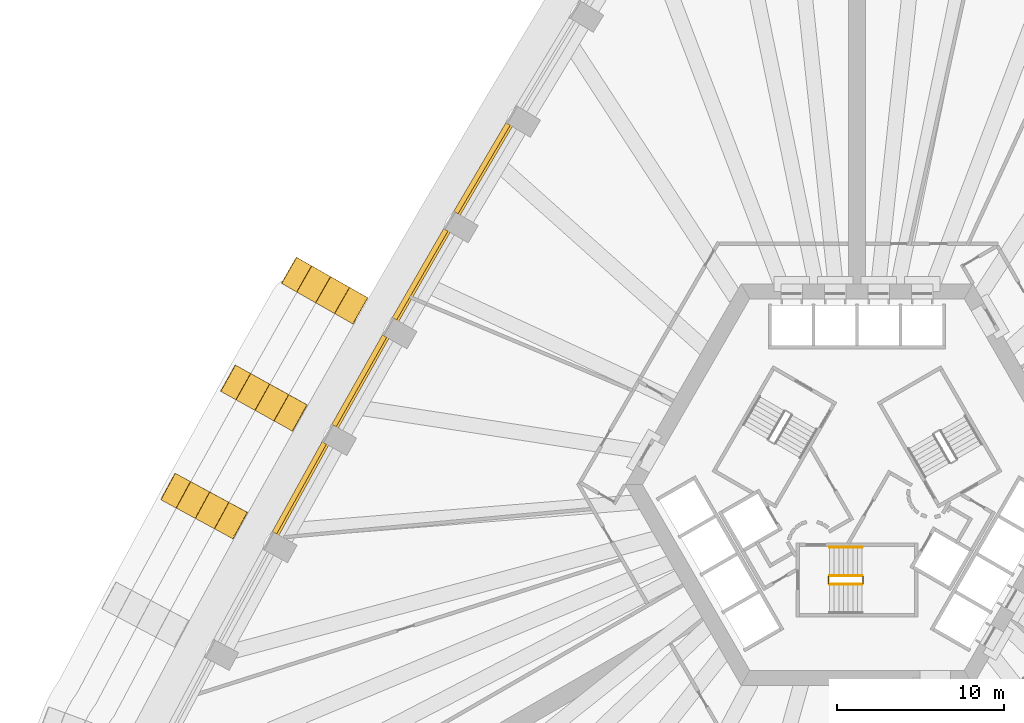
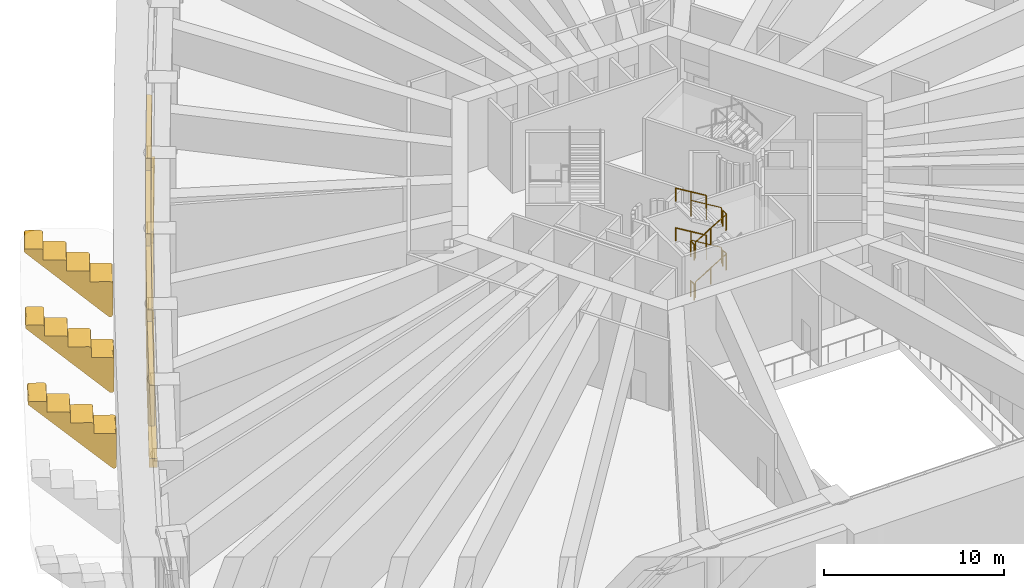
# One storey, part 16 of 21: 10 railings, 7 coverings, 4 shading devices.
"""IFC4 building model written with IfcOpenShell, lengths in metres."""

import ifcopenshell
import ifcopenshell.guid

model = None  # the IFC model being written
_history = None  # IfcOwnerHistory: only IFC2X3 demands one
_inside = {}  # id of a spatial element -> (the spatial element, [elements in it])
_under = {}  # id of a project, library or spatial element -> (it, [spatial elements below it])
_declared = {}  # id of a project -> (the project, [libraries it declares])
_typed = {}  # id of a type object -> (the type object, [elements of that type])
_made_of = {}  # id of a material, layer set ... -> (it, [elements and type objects made of it])


def new_model(schema):
    """Start an empty IFC model of exactly this schema.

    Asked for "IFC4X3", IfcOpenShell would pick the latest addendum, in which some entities
    have other attributes; the version numbers below select the first issue.
    IFC2X3 requires an IfcOwnerHistory on every rooted entity: one is made here for all.
    """
    global model, _history
    if schema == "IFC4X3":
        model = ifcopenshell.file(schema_version=(4, 3, 0, 0))
    else:
        model = ifcopenshell.file(schema=schema)
    _inside.clear()
    _under.clear()
    _declared.clear()
    _typed.clear()
    _made_of.clear()
    _history = None
    if model.schema == "IFC2X3":
        org = make("IfcOrganization", Name="unknown")
        user = make(
            "IfcPersonAndOrganization",
            ThePerson=make("IfcPerson", FamilyName="unknown"),
            TheOrganization=org,
        )
        app = make(
            "IfcApplication",
            ApplicationDeveloper=org,
            Version="unknown",
            ApplicationFullName="unknown",
            ApplicationIdentifier="unknown",
        )
        _history = make(
            "IfcOwnerHistory",
            OwningUser=user,
            OwningApplication=app,
            ChangeAction="ADDED",
            CreationDate=0,
        )
    return model


def make(cls, **values):
    """One entity of the class cls with the attributes given. An attribute that is None is left unset."""
    return model.create_entity(
        cls, **{name: value for name, value in values.items() if value is not None}
    )


def rooted(cls, **values):
    """An entity with a GlobalId (a new one), such as an element, a storey or a relation."""
    return make(cls, GlobalId=ifcopenshell.guid.new(), OwnerHistory=_history, **values)


def si_unit(unit_type, name, prefix=None):
    """IfcSIUnit, for example si_unit("LENGTHUNIT", "METRE", prefix="MILLI")."""
    return make("IfcSIUnit", UnitType=unit_type, Prefix=prefix, Name=name)


def assignment(units):
    """IfcUnitAssignment: the units of a project."""
    return None if units is None else make("IfcUnitAssignment", Units=units)


def point(xyz):
    """IfcCartesianPoint."""
    return None if xyz is None else make("IfcCartesianPoint", Coordinates=xyz)


def direction(xyz):
    """IfcDirection."""
    return None if xyz is None else make("IfcDirection", DirectionRatios=xyz)


def frame(location, z_axis=None, x_axis=None):
    """IfcAxis2Placement3D, a coordinate frame: its origin and axes. An axis left out is left unset."""
    return make(
        "IfcAxis2Placement3D",
        Location=point(location),
        Axis=direction(z_axis),
        RefDirection=direction(x_axis),
    )


def frame_2d(location, x_axis=None):
    """IfcAxis2Placement2D, a coordinate frame in the plane: its origin and x axis."""
    return make(
        "IfcAxis2Placement2D", Location=point(location), RefDirection=direction(x_axis)
    )


def origin():
    """The frame at (0, 0, 0) with its axes left unset."""
    return frame((0.0, 0.0, 0.0))


def origin_2d():
    """The frame at (0, 0) in the plane with its x axis left unset."""
    return frame_2d((0.0, 0.0))


def place(relative_to, where):
    """IfcLocalPlacement: puts the frame where relative to a parent placement (None: the world)."""
    return make(
        "IfcLocalPlacement", PlacementRelTo=relative_to, RelativePlacement=where
    )


def context(
    kind, dimensions, precision=None, world=None, true_north=None, identifier=None
):
    """IfcGeometricRepresentationContext, for example the 3D "Model" context."""
    return make(
        "IfcGeometricRepresentationContext",
        ContextIdentifier=identifier,
        ContextType=kind,
        CoordinateSpaceDimension=dimensions,
        Precision=precision,
        WorldCoordinateSystem=world,
        TrueNorth=true_north,
    )


def subcontext(parent, identifier, kind, view, scale=None):
    """IfcGeometricRepresentationSubContext, for example "Body" below "Model"."""
    return make(
        "IfcGeometricRepresentationSubContext",
        ContextIdentifier=identifier,
        ContextType=kind,
        ParentContext=parent,
        TargetScale=scale,
        TargetView=view,
    )


def project(units=None, contexts=None):
    """IfcProject with its units and contexts."""
    return rooted(
        "IfcProject",
        Name="project",
        RepresentationContexts=contexts,
        UnitsInContext=assignment(units),
    )


def spatial(cls, under=None, at=None, **own):
    """A site, building, storey or space (cls), placed at a placement, below another one or the project."""
    s = rooted(cls, ObjectPlacement=at, **own)
    if under is not None:
        _under.setdefault(under.id(), (under, []))[1].append(s)
    return s


def polyline(points):
    """IfcPolyline through the points."""
    return make("IfcPolyline", Points=[point(p) for p in points])


def profile(cls, at=None, kind="AREA", **sizes):
    """A parametric profile (cls). Its sizes go by their IFC names, for example OverallWidth=200.0."""
    return make(cls, ProfileType=kind, Position=at, **sizes)


def rectangle(**sizes):
    """IfcRectangleProfileDef."""
    return profile("IfcRectangleProfileDef", **sizes)


def circle(**sizes):
    """IfcCircleProfileDef."""
    return profile("IfcCircleProfileDef", **sizes)


def outline(outer, holes=None, kind="AREA"):
    """IfcArbitraryClosedProfileDef: a profile drawn as a closed curve; with holes, ...WithVoids."""
    if holes is None:
        return make("IfcArbitraryClosedProfileDef", ProfileType=kind, OuterCurve=outer)
    return make(
        "IfcArbitraryProfileDefWithVoids",
        ProfileType=kind,
        OuterCurve=outer,
        InnerCurves=holes,
    )


def extrude(swept, where, along, depth):
    """IfcExtrudedAreaSolid: the profile swept, set in the frame where, extruded along a direction by depth."""
    return make(
        "IfcExtrudedAreaSolid",
        SweptArea=swept,
        Position=where,
        ExtrudedDirection=direction(along),
        Depth=depth,
    )


def shape(context_of_items, identifier, shape_type, items):
    """IfcShapeRepresentation: the items that make up one representation, for example the "Body"."""
    return make(
        "IfcShapeRepresentation",
        ContextOfItems=context_of_items,
        RepresentationIdentifier=identifier,
        RepresentationType=shape_type,
        Items=items,
    )


def material(Name=None, Category=None):
    """IfcMaterial."""
    return make("IfcMaterial", Name=Name, Category=Category)


def layer(
    of_material, thickness, ventilated=None, Name=None, Category=None, Priority=None
):
    """IfcMaterialLayer: one layer of a wall or slab, of a material (None: an air gap)."""
    return make(
        "IfcMaterialLayer",
        Material=of_material,
        LayerThickness=thickness,
        IsVentilated=ventilated,
        Name=Name,
        Category=Category,
        Priority=Priority,
    )


def layer_set(layers, Name=None):
    """IfcMaterialLayerSet."""
    return make("IfcMaterialLayerSet", MaterialLayers=layers, LayerSetName=Name)


def made_of(thing, what):
    """Note that an element or type object is made of a material, layer set ...; save() writes the relation."""
    if what is not None:
        _made_of.setdefault(what.id(), (what, []))[1].append(thing)
    return thing


def type_object(cls, material=None, **own):
    """A type object (cls), such as IfcWallType, which elements share."""
    return made_of(rooted(cls, **own), material)


def element(
    cls,
    number,
    at=None,
    inside=None,
    cuts=None,
    type_object=None,
    material=None,
    context=None,
    identifier="Body",
    shape_type=None,
    held_by="IfcProductDefinitionShape",
    body=None,
    shapes=None,
    **own,
):
    """One element of the class cls, such as IfcWall. Its Tag is "e" and its number.

    at: its placement. inside: the storey or other place that contains it. cuts: it is an
    opening in that element (IfcRelVoidsElement). A single representation is given by context,
    identifier, shape_type and body (its items); several are given by shapes. held_by: the class
    of the entity that holds the representations. save() writes the other relations.
    """
    e = rooted(cls, Tag="e%d" % number, ObjectPlacement=at, **own)
    if body is not None:
        shapes = [shape(context, identifier, shape_type, body)]
    if shapes is not None:
        e.Representation = make(held_by, Representations=shapes)
    if inside is not None:
        _inside.setdefault(inside.id(), (inside, []))[1].append(e)
    if cuts is not None:
        rooted(
            "IfcRelVoidsElement", RelatingBuildingElement=cuts, RelatedOpeningElement=e
        )
    if type_object is not None:
        _typed.setdefault(type_object.id(), (type_object, []))[1].append(e)
    return made_of(e, material)


def aggregate(whole, parts):
    """IfcRelAggregates: a whole, such as a stair, and the parts it consists of."""
    return rooted("IfcRelAggregates", RelatingObject=whole, RelatedObjects=parts)


def save(model, path):
    """Write the relations noted so far, then the file.

    IfcRelAggregates (storeys below a building ...), IfcRelContainedInSpatialStructure (elements
    in a storey), IfcRelDefinesByType, IfcRelAssociatesMaterial and IfcRelDeclares: one each for
    every whole, place, type object, material and project.
    """
    for whole, parts in _under.values():
        aggregate(whole, parts)
    for where, things in _inside.values():
        rooted(
            "IfcRelContainedInSpatialStructure",
            RelatedElements=things,
            RelatingStructure=where,
        )
    for kind, things in _typed.values():
        rooted("IfcRelDefinesByType", RelatedObjects=things, RelatingType=kind)
    for what, things in _made_of.values():
        rooted("IfcRelAssociatesMaterial", RelatedObjects=things, RelatingMaterial=what)
    for by, libraries in _declared.values():
        rooted("IfcRelDeclares", RelatingContext=by, RelatedDefinitions=libraries)
    model.write(path)


model = new_model("IFC4")

# Units and contexts
model_context = context("Model", 3, precision=1e-05, world=origin(), true_north=direction((0.0, 1.0)))
body_context = subcontext(model_context, "Body", "Model", "MODEL_VIEW")
ifc_project = project(units=[si_unit("LENGTHUNIT", "METRE"), si_unit("AREAUNIT", "SQUARE_METRE"), si_unit("VOLUMEUNIT", "CUBIC_METRE"), si_unit("PLANEANGLEUNIT", "RADIAN"), si_unit("MASSUNIT", "GRAM", prefix="KILO")], contexts=[model_context])

# Site, building, storey
site_placement = place(None, origin())
site = spatial("IfcSite", under=ifc_project, at=site_placement, CompositionType="ELEMENT")
building_placement = place(site_placement, origin())
building = spatial("IfcBuilding", under=site, at=building_placement, Name="Entoto Arch Interchange Tower", CompositionType="ELEMENT")
storey_placement = place(building_placement, frame((0.0, 0.0, 81.199951171875)))
storey = spatial("IfcBuildingStorey", under=building, at=storey_placement, Name="L17", CompositionType="ELEMENT", Elevation=81.199951171875)

# Shading devices
ifc_material_1 = material(Name="Aluminium, anodised", Category="aluminium")
ifc_layer = layer(ifc_material_1, 0.300048828125)
ifc_layer_set = layer_set([ifc_layer], Name="Aluminium, anodised")
shading_device_type = type_object("IfcShadingDeviceType", Name="PLANT LOUVRE ALUMINIUM", PredefinedType="JALOUSIE", material=ifc_layer_set)
shading_device_1_placement = place(storey_placement, frame((-22.408935546875, 21.404052734375, 1.2001953125), z_axis=(0.0, 0.0, 1.0), x_axis=(-0.50750828612, -0.861646876348, 0.0)))
element("IfcShadingDevice", 1, at=shading_device_1_placement, inside=storey, type_object=shading_device_type, Name="Plant louvre NW-04 L17", PredefinedType="JALOUSIE", context=body_context, shape_type="SweptSolid", body=[
    extrude(rectangle(XDim=6.135986328125, YDim=0.300048828125, at=origin_2d()), origin(), (0.0, 0.0, 1.0), 2.800048828125),
])
for number, where, z_axis, x_axis, name in (
    (2, (-26.10400390625, 15.070068359375, 1.2001953125), (0.0, 0.0, 1.0), (-0.499939538803, -0.866060308259, 0.0), "Plant louvre NW-05 L17"),
    (3, (-29.741943359375, 8.7041015625, 1.2001953125), (0.0, 0.0, 1.0), (-0.492271646879, -0.870441626808, 0.0), "Plant louvre NW-06 L17"),
):
    element("IfcShadingDevice", number, at=place(storey_placement, frame(where, z_axis=z_axis, x_axis=x_axis)), inside=storey, type_object=shading_device_type, Name=name, PredefinedType="JALOUSIE", context=body_context, shape_type="SweptSolid", body=[
        extrude(rectangle(XDim=6.135009765625, YDim=0.300048828125, at=origin_2d()), origin(), (0.0, 0.0, 1.0), 2.800048828125),
    ])
shading_device_2_placement = place(storey_placement, frame((-33.323974609375, 2.305908203125, 1.2001953125), z_axis=(0.0, 0.0, 1.0), x_axis=(-0.484702761673, -0.874678931281, 0.0)))
element("IfcShadingDevice", 4, at=shading_device_2_placement, inside=storey, type_object=shading_device_type, Name="Plant louvre NW-07 L17", PredefinedType="JALOUSIE", context=body_context, shape_type="SweptSolid", body=[
    extrude(rectangle(XDim=6.134033203125, YDim=0.300048828125, at=origin_2d()), origin(), (0.0, 0.0, 1.0), 2.800048828125),
])

# Coverings
ifc_material_2 = material(Name="Board-marked precast concrete C50/60", Category="concrete")
covering_type_1 = type_object("IfcCoveringType", Name="PRECAST FRAME COURSE", PredefinedType="CLADDING", material=ifc_material_2)
covering_1_placement = place(storey_placement, frame((-29.429931640625, 13.783935546875, -0.558837890625), z_axis=(0.495684385517, 0.868497486394, 0.003017628692), x_axis=(0.7022359059, -0.398743312571, -0.589803783596)))
element("IfcCovering", 5, at=covering_1_placement, inside=storey, type_object=covering_type_1, Name="Fold rib NW06 L17", PredefinedType="CLADDING", context=body_context, shape_type="SweptSolid", body=[
    extrude(outline(polyline([(0.0, 0.0), (0.04263625358973036, 3.469446951953614e-18), (0.08276718296110695, -0.013287604371979553), (0.11835073101938814, -0.03685758275186953), (0.14670707661133386, -0.06996331964073439), (0.15987199320520173, -0.09681128419092992), (0.16859380774709873, -0.14036986246827945), (0.16456973624039087, -0.18459180057720437), (0.14819036302353766, -0.22462830107334325), (-1.0991312689511166, -1.9326730209428273), (-1.117883638814844, -1.9546514416574075), (-1.1416583246081546, -1.9720565405153874), (-1.1682897016341456, -1.9849535465743977), (-1.1965710473633158, -1.9927161593708944), (-1.2266312186817483, -1.9943405788178854), (-1.2550390481524478, -1.9908266489565087), (-1.282998567679535, -1.9803839335107851), (-1.3082494937499416, -1.965566291738139), (-2.2127303615445113, -1.304961592441222), (-2.575921752452188, -1.801255138300538), (-2.5972648469020196, -1.8216459516832928), (-2.62256725685118, -1.836420116938135), (-2.6504934028840843, -1.8459551336885118), (-2.694248605491011, -1.8511839032849804), (-2.7371496391550405, -1.8431270465323957), (-2.7758668805592044, -1.8224096162052335), (-3.704727955216746, -1.1439976045650415), (-4.068433679063315, -1.6399168536634265), (-4.090337615592293, -1.659895327618125), (-4.1142960567689055, -1.6756527881092014), (-4.1423936471147735, -1.6850630392726016), (-4.1862461991632465, -1.6902199154087998), (-4.2298330100791315, -1.6816639963083069), (-4.268082427684657, -1.6612828200749514), (-5.196846152900653, -0.9829427018950287), (-5.560333923294003, -1.4790247592475154), (-5.582163764951563, -1.4990561053289215), (-5.6073688254591785, -1.5139021640440329), (-5.634609194240227, -1.5239362431423187), (-5.6783643968471536, -1.5291650127387872), (-5.7219512077630394, -1.5206090936382939), (-5.760668449167203, -1.499891663311132), (-6.382777742707345, -1.0455206896716973), (-6.4053326593565165, -1.0254194281529494), (-6.422452652255513, -1.0017278984733382), (-6.435520219407836, -0.9749518273834124), (-6.44272776292078, -0.9461078664068192), (-6.444354883566093, -0.9161961182623015), (-6.43934993386097, -0.8865983771660328), (-6.429133395109649, -0.8580810331338466), (-6.413758934721355, -0.8333340617924963), (-6.393039970204853, -0.8112812750889877), (-6.369580723788861, -0.793948564197009), (-6.341702727431867, -0.781962959913963), (-6.313311584708259, -0.7754880236772892), (0.0, 0.0)])), origin(), (0.0, 0.0, -1.0), 1.800048828125),
])
covering_2_placement = place(storey_placement, frame((-33.05908203125, 7.385986328125, -0.554931640625), z_axis=(0.486961709781, 0.873417880958, 0.003081952209), x_axis=(0.685898562877, -0.380223613169, -0.620462058012)))
element("IfcCovering", 6, at=covering_2_placement, inside=storey, type_object=covering_type_1, Name="Fold rib NW07 L17", PredefinedType="CLADDING", context=body_context, shape_type="SweptSolid", body=[
    extrude(outline(polyline([(0.0, 0.0), (0.029118148691742313, 0.0), (0.070924476056066, -0.011593780235742146), (0.10804440066463862, -0.03442422065923424), (0.13708795843014246, -0.06643172847302366), (0.1557894480644645, -0.10551040034971405), (0.16320603662439484, -0.14811345684078098), (0.15681396373552897, -0.19162175543092524), (0.13873719863839265, -0.23086590065339002), (-1.1696161678608858, -1.8864029006718819), (-1.1902428999178298, -1.906816996649429), (-1.2146743860157245, -1.9232900526066299), (-1.2414087756928334, -1.9354505712053094), (-1.2699671530676737, -1.9421183967901494), (-1.299691221737943, -1.942884246800021), (-1.3291537589151727, -1.9373188857000443), (-1.3558544554549585, -1.926465242617105), (-1.3808065457686558, -1.9104604519797612), (-2.258826259508525, -1.2157960606769227), (-2.6407028766789358, -1.6978591516066008), (-2.664029325002503, -1.7164513357192321), (-2.6888373740953426, -1.7310675969483342), (-2.717019188475238, -1.7395922172612726), (-2.7610352837719754, -1.7430573428172962), (-2.803885995389525, -1.733127281845662), (-2.8417792956804524, -1.7109306721876762), (-3.743304651920673, -0.9976668160272404), (-4.125925719579662, -1.4791440917827539), (-4.148507717414651, -1.4983220910695496), (-4.173892761292242, -1.5124845563688523), (-4.201497580887386, -1.5214629726115905), (-4.246183498999432, -1.5244000211901545), (-4.288941382586424, -1.5145442412661794), (-4.326834682877351, -1.4923476316081938), (-5.2285274948214, -0.778951756203393), (-5.61107393480712, -1.2604867701556115), (-5.63356310461155, -1.2797390504900674), (-5.6590409765197, -1.29382723474171), (-5.686645796114844, -1.3028056509844483), (-5.730569063381022, -1.306345057588132), (-5.7735872307024, -1.2962829773721323), (-5.811313075289499, -1.2742183869585118), (-6.415943617802237, -0.7958485168481317), (-6.437167360214214, -0.7753229071992194), (-6.454194563679474, -0.7503325116740469), (-6.466220925764858, -0.7230724445371006), (-6.472314115272578, -0.6939701441619883), (-6.472242773662021, -0.6644515567804059), (-6.466477316626278, -0.6347675881529242), (-6.454792661165038, -0.6069664955101088), (-6.438477499556717, -0.5828291795708762), (-6.417093367526614, -0.56145777108099), (-6.392050710577482, -0.5457785356513769), (-6.364368013993387, -0.5343689371731366), (-6.335206965955701, -0.5294241820106325), (0.0, 0.0)])), origin(), (0.0, 0.0, -1.0), 1.800048828125),
])
covering_3_placement = place(storey_placement, frame((-36.631103515625, 0.9580078125, -0.5458984375), z_axis=(0.478066167736, 0.878319171934, 0.002858579881), x_axis=(0.722524278042, -0.391412823053, -0.569872502925)))
element("IfcCovering", 7, at=covering_3_placement, inside=storey, type_object=covering_type_1, Name="Fold rib NW08 L17", PredefinedType="CLADDING", context=body_context, shape_type="SweptSolid", body=[
    extrude(outline(polyline([(0.0, 0.0), (0.044127550253527215, -3.469446951953614e-18), (0.08544412430028873, -0.01290781777338132), (0.12135455615491231, -0.036621291802161726), (0.14947011817150083, -0.06948836008984136), (0.16257576875789623, -0.09551585438978608), (0.17157776004725905, -0.13830136865020903), (0.1681071055032655, -0.18105315832631394), (0.1530926153569631, -0.22174603079171384), (-1.0439281908478226, -1.9485008736045297), (-1.0628444257047256, -1.9704425193108648), (-1.085488748719482, -1.9889053568223938), (-1.1114080280196164, -2.00272157181321), (-1.1401932977737161, -2.010687026773457), (-1.1698101491079338, -2.013321424238879), (-1.1990043002632658, -2.0100116731250623), (-1.22650582053589, -2.000741338942483), (-1.2524159736717753, -1.9863375402068102), (-2.1728458711558725, -1.3480171766976132), (-2.523635246323915, -1.85315232906353), (-2.544866268610428, -1.8737830427430024), (-2.569409515682103, -1.8894445901483519), (-2.5971778490233777, -1.8996017025731091), (-2.64032474369765, -1.9062229350815747), (-2.6838925852409505, -1.8988857053359887), (-2.7236361583767668, -1.87875134493617), (-3.667983309618073, -1.2238394135910897), (-4.019559112658956, -1.7284319504434953), (-4.040503455631709, -1.749263715507443), (-4.065333382017144, -1.7647242115283173), (-4.092638638515841, -1.7752043018658834), (-4.136248610032691, -1.7815025564615399), (-4.179640054047173, -1.7742872532442877), (-4.218854434596533, -1.754518672429471), (-5.163907175953113, -1.099119034971055), (-5.515019902151419, -1.6040345497362698), (-5.536427321966751, -1.6245433368874083), (-5.560970569038426, -1.6402048842927575), (-5.587856914735607, -1.6509716293591845), (-5.632268036138985, -1.6567151607133468), (-5.675659480153467, -1.6494998574960946), (-5.714491621617815, -1.6299993451939114), (-6.346944954195474, -1.191389976102502), (-6.369802689948292, -1.1719703125805285), (-6.38798408899002, -1.148370117913764), (-6.401699769920437, -1.1219219346286415), (-6.410318082840556, -1.0927723388688602), (-6.41210237599187, -1.0633088444030667), (-6.4079114937490935, -1.0335362121522), (-6.397918786212223, -1.0051095283961042), (-6.3835380901577, -0.9797245293601131), (-6.3635439710706105, -0.9570478660410315), (-6.339149797998074, -0.9400961436220423), (-6.312238249268905, -0.9269686861290372), (-6.2832765819859855, -0.9191251576971231), (0.0, 0.0)])), origin(), (0.0, 0.0, -1.0), 1.800048828125),
])
covering_type_2 = type_object("IfcCoveringType", Name="PRECAST LEDGE COURSE", PredefinedType="CLADDING", material=ifc_material_2)
covering_4_placement = place(storey_placement, frame((0.0, 0.0, -1.199951171875)))
element("IfcCovering", 8, at=covering_4_placement, inside=storey, type_object=covering_type_2, Name="Precast course NW-04 L17", PredefinedType="CLADDING", context=body_context, shape_type="SweptSolid", body=[
    extrude(outline(polyline([(-24.010986328125, 18.093994140625), (-24.39990234375, 18.321044921875), (-20.677001953125, 24.64111328125), (-20.2890625, 24.408935546875), (-24.010986328125, 18.093994140625)])), origin(), (0.0, 0.0, 1.0), 0.60009765625),
])
covering_5_placement = place(storey_placement, frame((0.0, 0.0, -1.199951171875)))
element("IfcCovering", 9, at=covering_5_placement, inside=storey, type_object=covering_type_2, Name="Precast course NW-05 L17", PredefinedType="CLADDING", context=body_context, shape_type="SweptSolid", body=[
    extrude(outline(polyline([(-27.676025390625, 11.7470703125), (-28.06689453125, 11.969970703125), (-24.39990234375, 18.321044921875), (-24.010986328125, 18.093994140625), (-27.676025390625, 11.7470703125)])), origin(), (0.0, 0.0, 1.0), 0.60009765625),
])
covering_6_placement = place(storey_placement, frame((0.0, 0.0, -1.199951171875)))
element("IfcCovering", 10, at=covering_6_placement, inside=storey, type_object=covering_type_2, Name="Precast course NW-06 L17", PredefinedType="CLADDING", context=body_context, shape_type="SweptSolid", body=[
    extrude(outline(polyline([(-31.282958984375, 5.365966796875), (-31.677978515625, 5.5859375), (-28.06689453125, 11.969970703125), (-27.676025390625, 11.7470703125), (-31.282958984375, 5.365966796875)])), origin(), (0.0, 0.0, 1.0), 0.60009765625),
])
covering_7_placement = place(storey_placement, frame((0.0, 0.0, -1.199951171875)))
element("IfcCovering", 11, at=covering_7_placement, inside=storey, type_object=covering_type_2, Name="Precast course NW-07 L17", PredefinedType="CLADDING", context=body_context, shape_type="SweptSolid", body=[
    extrude(outline(polyline([(-34.8310546875, -1.047119140625), (-35.23193359375, -0.827880859375), (-31.677978515625, 5.5859375), (-31.282958984375, 5.365966796875), (-34.8310546875, -1.047119140625)])), origin(), (0.0, 0.0, 1.0), 0.60009765625),
])

# Railings
ifc_material_3 = material(Name="Stainless steel 1.4301", Category="steel")
railing_type_1 = type_object("IfcRailingType", Name="STAIR GUARD 1100 STEEL", PredefinedType="GUARDRAIL", material=ifc_material_3)
railing_1_placement = place(storey_placement, frame((-1.64990234375, -3.449951171875, 0.168701171875)))
element("IfcRailing", 12, at=railing_1_placement, inside=storey, type_object=railing_type_1, Name="L17 ST-S stair guard 1", PredefinedType="GUARDRAIL", context=body_context, shape_type="SweptSolid", body=[
    extrude(circle(Radius=0.02392578125, at=origin_2d()), frame((0.0, 0.0, 1.076171875), z_axis=(0.856446297458, 0.0, 0.516236127728), x_axis=(0.0, 1.0, 0.0)), (0.0, 0.0, 1.0), 2.28857421875),
    extrude(circle(Radius=0.02099609375, at=origin_2d()), origin(), (0.0, 0.0, 1.0), 1.052001953125),
    extrude(circle(Radius=0.02099609375, at=origin_2d()), frame((0.97998046875, 0.0, 0.5908203125)), (0.0, 0.0, 1.0), 1.052001953125),
    extrude(circle(Radius=0.02099609375, at=origin_2d()), frame((1.9599609375, 0.0, 1.181396484375)), (0.0, 0.0, 1.0), 1.052001953125),
])
railing_2_placement = place(storey_placement, frame((0.360107421875, -3.39990234375, 1.35009765625)))
element("IfcRailing", 13, at=railing_2_placement, inside=storey, type_object=railing_type_1, Name="L17 ST-S stair guard 2", PredefinedType="GUARDRAIL", context=body_context, shape_type="SweptSolid", body=[
    extrude(circle(Radius=0.02392578125, at=origin_2d()), frame((0.0, 0.0, 1.076171875), z_axis=(0.0, 1.0, 0.0), x_axis=(-1.0, 0.0, 0.0)), (0.0, 0.0, 1.0), 0.39990234375),
    extrude(circle(Radius=0.02099609375, at=origin_2d()), origin(), (0.0, 0.0, 1.0), 1.052001953125),
    extrude(circle(Radius=0.02099609375, at=origin_2d()), frame((0.0, 0.39990234375, 0.0)), (0.0, 0.0, 1.0), 1.052001953125),
])
railing_3_placement = place(storey_placement, frame((0.31005859375, -2.949951171875, 1.518798828125)))
element("IfcRailing", 14, at=railing_3_placement, inside=storey, type_object=railing_type_1, Name="L17 ST-S stair guard 3", PredefinedType="GUARDRAIL", context=body_context, shape_type="SweptSolid", body=[
    extrude(circle(Radius=0.02392578125, at=origin_2d()), frame((0.0, 0.0, 1.076171875), z_axis=(-0.856493463811, 0.0, 0.516157869696), x_axis=(0.0, -1.0, 0.0)), (0.0, 0.0, 1.0), 2.288330078125),
    extrude(circle(Radius=0.02099609375, at=origin_2d()), origin(), (0.0, 0.0, 1.0), 1.052001953125),
    extrude(circle(Radius=0.02099609375, at=origin_2d()), frame((-0.97998046875, 0.0, 0.590576171875)), (0.0, 0.0, 1.0), 1.052001953125),
    extrude(circle(Radius=0.02099609375, at=origin_2d()), frame((-1.9599609375, 0.0, 1.18115234375)), (0.0, 0.0, 1.0), 1.052001953125),
])
railing_4_placement = place(storey_placement, frame((-1.699951171875, -3.39990234375, 2.699951171875)))
element("IfcRailing", 15, at=railing_4_placement, inside=storey, type_object=railing_type_1, Name="L17 ST-S stair guard 4", PredefinedType="GUARDRAIL", context=body_context, shape_type="SweptSolid", body=[
    extrude(circle(Radius=0.02392578125, at=origin_2d()), frame((0.0, 0.0, 1.076171875), z_axis=(0.0, 1.0, 0.0), x_axis=(-1.0, 0.0, 0.0)), (0.0, 0.0, 1.0), 0.39990234375),
    extrude(circle(Radius=0.02099609375, at=origin_2d()), origin(), (0.0, 0.0, 1.0), 1.052001953125),
    extrude(circle(Radius=0.02099609375, at=origin_2d()), frame((0.0, 0.39990234375, 0.0)), (0.0, 0.0, 1.0), 1.052001953125),
])
railing_5_placement = place(storey_placement, frame((-1.64990234375, -3.449951171875, 2.868896484375)))
element("IfcRailing", 16, at=railing_5_placement, inside=storey, type_object=railing_type_1, Name="L17 ST-S stair guard 5", PredefinedType="GUARDRAIL", context=body_context, shape_type="SweptSolid", body=[
    extrude(circle(Radius=0.02392578125, at=origin_2d()), frame((0.0, 0.0, 1.076171875), z_axis=(0.856493463811, 0.0, 0.516157869696), x_axis=(0.0, 1.0, 0.0)), (0.0, 0.0, 1.0), 2.288330078125),
    extrude(circle(Radius=0.02099609375, at=origin_2d()), origin(), (0.0, 0.0, 1.0), 1.052001953125),
    extrude(circle(Radius=0.02099609375, at=origin_2d()), frame((0.97998046875, 0.0, 0.590576171875)), (0.0, 0.0, 1.0), 1.052001953125),
    extrude(circle(Radius=0.02099609375, at=origin_2d()), frame((1.9599609375, 0.0, 1.18115234375)), (0.0, 0.0, 1.0), 1.052001953125),
])
railing_6_placement = place(storey_placement, frame((0.360107421875, -3.39990234375, 4.050048828125)))
element("IfcRailing", 17, at=railing_6_placement, inside=storey, type_object=railing_type_1, Name="L17 ST-S stair guard 6", PredefinedType="GUARDRAIL", context=body_context, shape_type="SweptSolid", body=[
    extrude(circle(Radius=0.02392578125, at=origin_2d()), frame((0.0, 0.0, 1.076171875), z_axis=(0.0, 1.0, 0.0), x_axis=(-1.0, 0.0, 0.0)), (0.0, 0.0, 1.0), 0.39990234375),
    extrude(circle(Radius=0.02099609375, at=origin_2d()), origin(), (0.0, 0.0, 1.0), 1.052001953125),
    extrude(circle(Radius=0.02099609375, at=origin_2d()), frame((0.0, 0.39990234375, 0.0)), (0.0, 0.0, 1.0), 1.052001953125),
])
railing_7_placement = place(storey_placement, frame((0.31005859375, -2.949951171875, 4.21875)))
element("IfcRailing", 18, at=railing_7_placement, inside=storey, type_object=railing_type_1, Name="L17 ST-S stair guard 7", PredefinedType="GUARDRAIL", context=body_context, shape_type="SweptSolid", body=[
    extrude(circle(Radius=0.02392578125, at=origin_2d()), frame((0.0, 0.0, 1.076171875), z_axis=(-0.856446297458, 0.0, 0.516236127728), x_axis=(0.0, -1.0, 0.0)), (0.0, 0.0, 1.0), 2.28857421875),
    extrude(circle(Radius=0.02099609375, at=origin_2d()), origin(), (0.0, 0.0, 1.0), 1.052001953125),
    extrude(circle(Radius=0.02099609375, at=origin_2d()), frame((-0.97998046875, 0.0, 0.5908203125)), (0.0, 0.0, 1.0), 1.052001953125),
    extrude(circle(Radius=0.02099609375, at=origin_2d()), frame((-1.9599609375, 0.0, 1.181396484375)), (0.0, 0.0, 1.0), 1.052001953125),
])
railing_8_placement = place(storey_placement, frame((-1.699951171875, -3.39990234375, 0.0)))
element("IfcRailing", 19, at=railing_8_placement, inside=storey, type_object=railing_type_1, Name="L17 ST-S stair guard 8", PredefinedType="GUARDRAIL", context=body_context, shape_type="SweptSolid", body=[
    extrude(circle(Radius=0.02392578125, at=origin_2d()), frame((0.0, 0.0, 1.076171875), z_axis=(0.0, 1.0, 0.0), x_axis=(-1.0, 0.0, 0.0)), (0.0, 0.0, 1.0), 0.39990234375),
    extrude(circle(Radius=0.02099609375, at=origin_2d()), origin(), (0.0, 0.0, 1.0), 1.052001953125),
    extrude(circle(Radius=0.02099609375, at=origin_2d()), frame((0.0, 0.39990234375, 0.0)), (0.0, 0.0, 1.0), 1.052001953125),
])
railing_type_2 = type_object("IfcRailingType", Name="STAIR HANDRAIL 900 STEEL", PredefinedType="HANDRAIL", material=ifc_material_3)
railing_9_placement = place(storey_placement, frame((0.31005859375, -1.25, 1.518798828125)))
element("IfcRailing", 20, at=railing_9_placement, inside=storey, type_object=railing_type_2, Name="L17 ST-S stair handrail 2", PredefinedType="HANDRAIL", context=body_context, shape_type="SweptSolid", body=[
    extrude(circle(Radius=0.02392578125, at=origin_2d()), frame((0.0, 0.0, 0.8759765625), z_axis=(-0.856493463811, 0.0, 0.516157869696), x_axis=(0.0, -1.0, 0.0)), (0.0, 0.0, 1.0), 2.288330078125),
    extrude(circle(Radius=0.02099609375, at=origin_2d()), origin(), (0.0, 0.0, 1.0), 0.851806640625),
    extrude(circle(Radius=0.02099609375, at=origin_2d()), frame((-0.97998046875, 0.0, 0.590576171875)), (0.0, 0.0, 1.0), 0.851806640625),
    extrude(circle(Radius=0.02099609375, at=origin_2d()), frame((-1.9599609375, 0.0, 1.18115234375)), (0.0, 0.0, 1.0), 0.851806640625),
])
railing_10_placement = place(storey_placement, frame((0.31005859375, -1.25, 4.21875)))
element("IfcRailing", 21, at=railing_10_placement, inside=storey, type_object=railing_type_2, Name="L17 ST-S stair handrail 4", PredefinedType="HANDRAIL", context=body_context, shape_type="SweptSolid", body=[
    extrude(circle(Radius=0.02392578125, at=origin_2d()), frame((0.0, 0.0, 0.8759765625), z_axis=(-0.856446297458, 0.0, 0.516236127728), x_axis=(0.0, -1.0, 0.0)), (0.0, 0.0, 1.0), 2.28857421875),
    extrude(circle(Radius=0.02099609375, at=origin_2d()), origin(), (0.0, 0.0, 1.0), 0.851806640625),
    extrude(circle(Radius=0.02099609375, at=origin_2d()), frame((-0.97998046875, 0.0, 0.5908203125)), (0.0, 0.0, 1.0), 0.851806640625),
    extrude(circle(Radius=0.02099609375, at=origin_2d()), frame((-1.9599609375, 0.0, 1.181396484375)), (0.0, 0.0, 1.0), 0.851806640625),
])

save(model, "model.ifc")
